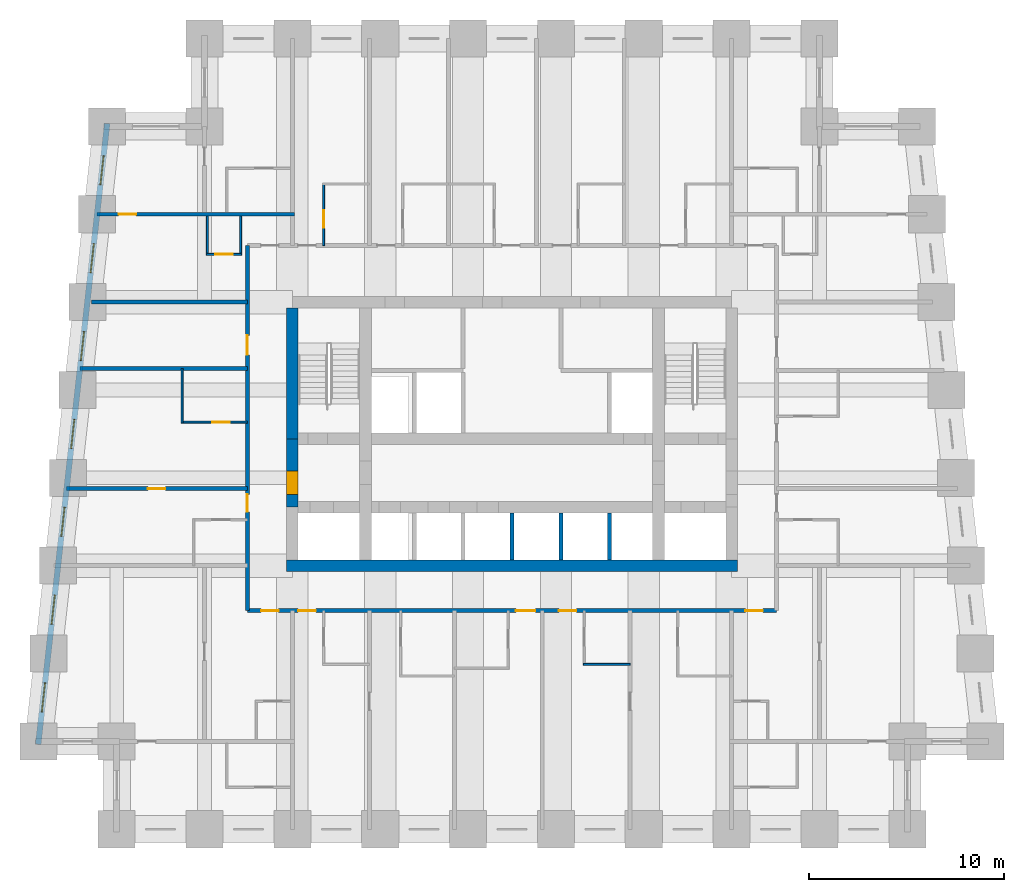
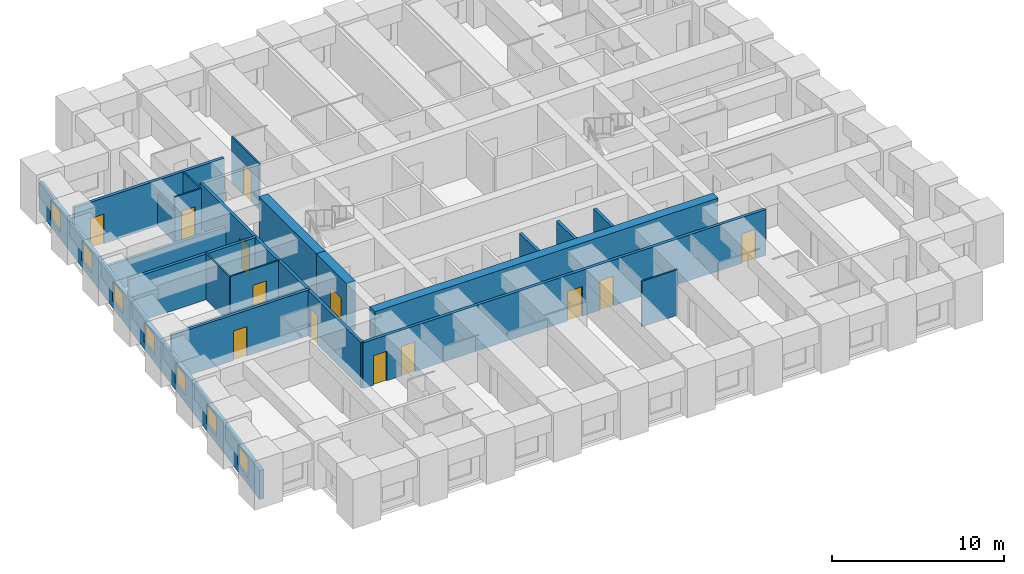
# One storey, part 3 of 8: 20 walls, 13 doors, 7 windows, 20 openings.
"""IFC4 building model written with IfcOpenShell, lengths in metres."""

from ifc_helpers import new_model, si_unit, direction, frame, frame_2d, origin, place, context, subcontext, project, spatial, rectangle, extrude, material, layer, layer_set, type_object, element, fill, save


model = new_model("IFC4")

# Units and contexts
model_context = context("Model", 3, precision=1e-05, world=origin(), true_north=direction((0.0, 1.0)))
body_context = subcontext(model_context, "Body", "Model", "MODEL_VIEW")
ifc_project = project(units=[si_unit("LENGTHUNIT", "METRE"), si_unit("AREAUNIT", "SQUARE_METRE"), si_unit("VOLUMEUNIT", "CUBIC_METRE"), si_unit("PLANEANGLEUNIT", "RADIAN"), si_unit("MASSUNIT", "GRAM", prefix="KILO")], contexts=[model_context])

# Site, building, storey
site_placement = place(None, origin())
site = spatial("IfcSite", under=ifc_project, at=site_placement, CompositionType="ELEMENT")
building_placement = place(site_placement, origin())
building = spatial("IfcBuilding", under=site, at=building_placement, Name="Kilele Tower Hotel", CompositionType="ELEMENT")
storey_placement = place(building_placement, frame((0.0, 0.0, 54.199951171875)))
storey = spatial("IfcBuildingStorey", under=building, at=storey_placement, Name="L12", CompositionType="ELEMENT", Elevation=54.199951171875)

# Wall
ifc_material_1 = material(Name="Moisture-resistant board")
ifc_layer_1 = layer(ifc_material_1, 0.10009765625)
ifc_layer_set_1 = layer_set([ifc_layer_1], Name="Moisture-resistant board")
wall_type_1 = type_object("IfcWallType", Name="Bathroom partition 100", PredefinedType="PLUMBINGWALL", material=ifc_layer_set_1)
wall_1_placement = place(storey_placement, frame((28.39990234375, 8.449951171875, 0.0), z_axis=(0.0, 0.0, 1.0), x_axis=(1.0, 0.0, 0.0)))
element("IfcWall", 1, at=wall_1_placement, inside=storey, type_object=wall_type_1, Name="Bathroom partition 100 L12", PredefinedType="PLUMBINGWALL", context=body_context, shape_type="SweptSolid", body=[
    extrude(rectangle(XDim=2.400146484375, YDim=0.10009765625, at=frame_2d((1.2001953125, 0.0))), origin(), (0.0, 0.0, 1.0), 3.25),
])

# Wall, opening, door
wall_2_placement = place(storey_placement, frame((15.10009765625, 29.89990234375, 0.0), z_axis=(0.0, 0.0, 1.0), x_axis=(0.0, 1.0, 0.0)))
wall_2 = element("IfcWall", 2, at=wall_2_placement, inside=storey, type_object=wall_type_1, Name="Bathroom partition 100 L12", PredefinedType="PLUMBINGWALL", context=body_context, shape_type="SweptSolid", body=[
    extrude(rectangle(XDim=3.2001953125, YDim=0.10009765625, at=frame_2d((1.60009765625, 0.0))), origin(), (0.0, 0.0, 1.0), 3.25),
])
opening_1_placement = place(wall_2_placement, frame((0.89990234375, 0.0, 0.0)))
opening_1 = element("IfcOpeningElement", 3, at=opening_1_placement, cuts=wall_2, Name="Opening D2A", PredefinedType="OPENING", context=body_context, shape_type="SweptSolid", body=[
    extrude(rectangle(XDim=0.89990234375, YDim=2.10009765625, at=frame_2d((0.449951171875, 1.050048828125))), frame((0.0, 0.06005859375, 0.0), z_axis=(0.0, -1.0, 0.0), x_axis=(1.0, 0.0, 0.0)), (0.0, 0.0, 1.0), 0.1201171875),
])
ifc_material_2 = material(Name="Timber door leaf in hardwood frame", Category="wood")
door_type_1 = type_object("IfcDoorType", Name="Bathroom door 900", OperationType="SINGLE_SWING_LEFT", PredefinedType="DOOR", material=ifc_material_2)
door_1_placement = place(opening_1_placement, origin())
door_1 = element("IfcDoor", 4, at=door_1_placement, inside=storey, type_object=door_type_1, Name="Bathroom door 1209B", OperationType="SINGLE_SWING_LEFT", OverallHeight=2.10009765625, OverallWidth=0.89990234375, PredefinedType="DOOR", context=body_context, shape_type="SweptSolid", body=[
    extrude(rectangle(XDim=0.89990234375, YDim=2.10009765625, at=frame_2d((0.449951171875, 1.050048828125))), frame((0.0, 0.02490234375, 0.0), z_axis=(0.0, -1.0, 0.0), x_axis=(1.0, 0.0, 0.0)), (0.0, 0.0, 1.0), 0.050048828125),
])
fill(opening_1, door_1)

# Wall
wall_3_placement = place(storey_placement, frame((7.85009765625, 20.800048828125, 0.0), z_axis=(0.0, 0.0, 1.0), x_axis=(0.0, 1.0, 0.0)))
element("IfcWall", 5, at=wall_3_placement, inside=storey, type_object=wall_type_1, Name="Bathroom partition 100 L12", PredefinedType="PLUMBINGWALL", context=body_context, shape_type="SweptSolid", body=[
    extrude(rectangle(XDim=2.800048828125, YDim=0.10009765625, at=frame_2d((1.39990234375, 0.0))), origin(), (0.0, 0.0, 1.0), 3.25),
])

# Wall, opening, door
wall_4_placement = place(storey_placement, frame((11.199951171875, 20.85009765625, 0.0), z_axis=(0.0, 0.0, 1.0), x_axis=(-1.0, 0.0, 0.0)))
wall_4 = element("IfcWall", 6, at=wall_4_placement, inside=storey, type_object=wall_type_1, Name="Bathroom partition 100 L12", PredefinedType="PLUMBINGWALL", context=body_context, shape_type="SweptSolid", body=[
    extrude(rectangle(XDim=3.39990234375, YDim=0.10009765625, at=frame_2d((1.699951171875, 0.0))), origin(), (0.0, 0.0, 1.0), 3.25),
])
opening_2_placement = place(wall_4_placement, frame((0.89990234375, 0.0, 0.0)))
opening_2 = element("IfcOpeningElement", 7, at=opening_2_placement, cuts=wall_4, Name="Opening D2A", PredefinedType="OPENING", context=body_context, shape_type="SweptSolid", body=[
    extrude(rectangle(XDim=0.89990234375, YDim=2.10009765625, at=frame_2d((0.449951171875, 1.050048828125))), frame((0.0, 0.06005859375, 0.0), z_axis=(0.0, -1.0, 0.0), x_axis=(1.0, 0.0, 0.0)), (0.0, 0.0, 1.0), 0.1201171875),
])
door_2_placement = place(opening_2_placement, origin())
door_2 = element("IfcDoor", 8, at=door_2_placement, inside=storey, type_object=door_type_1, Name="Bathroom door 1215B", OperationType="SINGLE_SWING_LEFT", OverallHeight=2.10009765625, OverallWidth=0.89990234375, PredefinedType="DOOR", context=body_context, shape_type="SweptSolid", body=[
    extrude(rectangle(XDim=0.89990234375, YDim=2.10009765625, at=frame_2d((0.449951171875, 1.050048828125))), frame((0.0, 0.02490234375, 0.0), z_axis=(0.0, -1.0, 0.0), x_axis=(1.0, 0.0, 0.0)), (0.0, 0.0, 1.0), 0.050048828125),
])
fill(opening_2, door_2)

# Walls
wall_5_placement = place(storey_placement, frame((9.14990234375, 31.39990234375, 0.0), z_axis=(0.0, 0.0, 1.0), x_axis=(0.0, -1.0, 0.0)))
element("IfcWall", 9, at=wall_5_placement, inside=storey, type_object=wall_type_1, Name="Bathroom partition 100 L12", PredefinedType="PLUMBINGWALL", context=body_context, shape_type="SweptSolid", body=[
    extrude(rectangle(XDim=2.0, YDim=0.10009765625, at=frame_2d((1.0, 0.0))), origin(), (0.0, 0.0, 1.0), 2.25),
])
wall_6_placement = place(storey_placement, frame((10.85009765625, 31.39990234375, 0.0), z_axis=(0.0, 0.0, 1.0), x_axis=(0.0, -1.0, 0.0)))
element("IfcWall", 10, at=wall_6_placement, inside=storey, type_object=wall_type_1, Name="Bathroom partition 100 L12", PredefinedType="PLUMBINGWALL", context=body_context, shape_type="SweptSolid", body=[
    extrude(rectangle(XDim=2.0, YDim=0.10009765625, at=frame_2d((1.0, 0.0))), origin(), (0.0, 0.0, 1.0), 3.25),
])

# Wall, opening, door
wall_7_placement = place(storey_placement, frame((10.89990234375, 29.449951171875, 0.0), z_axis=(0.0, 0.0, 1.0), x_axis=(-1.0, 0.0, 0.0)))
wall_7 = element("IfcWall", 11, at=wall_7_placement, inside=storey, type_object=wall_type_1, Name="Bathroom partition 100 L12", PredefinedType="PLUMBINGWALL", context=body_context, shape_type="SweptSolid", body=[
    extrude(rectangle(XDim=1.7998046875, YDim=0.10009765625, at=frame_2d((0.89990234375, 0.0))), origin(), (0.0, 0.0, 1.0), 3.25),
])
opening_3_placement = place(wall_7_placement, frame((0.449951171875, 0.0, 0.0)))
opening_3 = element("IfcOpeningElement", 12, at=opening_3_placement, cuts=wall_7, Name="Opening D2A", PredefinedType="OPENING", context=body_context, shape_type="SweptSolid", body=[
    extrude(rectangle(XDim=0.89990234375, YDim=2.10009765625, at=frame_2d((0.449951171875, 1.050048828125))), frame((0.0, 0.06005859375, 0.0), z_axis=(0.0, -1.0, 0.0), x_axis=(1.0, 0.0, 0.0)), (0.0, 0.0, 1.0), 0.1201171875),
])
door_3_placement = place(opening_3_placement, origin())
door_3 = element("IfcDoor", 13, at=door_3_placement, inside=storey, type_object=door_type_1, Name="Bathroom door 1226P", OperationType="SINGLE_SWING_LEFT", OverallHeight=2.10009765625, OverallWidth=0.89990234375, PredefinedType="DOOR", context=body_context, shape_type="SweptSolid", body=[
    extrude(rectangle(XDim=0.89990234375, YDim=2.10009765625, at=frame_2d((0.449951171875, 1.050048828125))), frame((0.0, 0.02490234375, 0.0), z_axis=(0.0, -1.0, 0.0), x_axis=(1.0, 0.0, 0.0)), (0.0, 0.0, 1.0), 0.050048828125),
])
fill(opening_3, door_3)

# Walls
ifc_material_3 = material(Name="Concrete C60/75", Category="concrete")
ifc_layer_2 = layer(ifc_material_3, 0.60009765625)
ifc_layer_set_2 = layer_set([ifc_layer_2], Name="Concrete C60/75")
wall_type_2 = type_object("IfcWallType", Name="Core wall 600 C60/75", PredefinedType="SHEAR", material=ifc_layer_set_2)
wall_8_placement = place(storey_placement, frame((13.199951171875, 13.5, 0.0), z_axis=(0.0, 0.0, 1.0), x_axis=(1.0, 0.0, 0.0)))
element("IfcWall", 14, at=wall_8_placement, inside=storey, type_object=wall_type_2, Name="Core wall S L12", PredefinedType="SHEAR", context=body_context, shape_type="SweptSolid", body=[
    extrude(rectangle(XDim=23.10009765625, YDim=0.60009765625, at=frame_2d((11.550048828125, 0.0))), origin(), (0.0, 0.0, 1.0), 3.5),
])
wall_9_placement = place(storey_placement, frame((13.5, 26.699951171875, 0.0), z_axis=(0.0, 0.0, 1.0), x_axis=(0.0, -1.0, 0.0)))
element("IfcWall", 15, at=wall_9_placement, inside=storey, type_object=wall_type_2, Name="Core wall W1 L12", PredefinedType="SHEAR", context=body_context, shape_type="SweptSolid", body=[
    extrude(rectangle(XDim=6.699951171875, YDim=0.60009765625, at=frame_2d((3.35009765625, 0.0))), origin(), (0.0, 0.0, 1.0), 3.5),
])

# Wall, opening, door
wall_10_placement = place(storey_placement, frame((13.5, 20.0, 0.0), z_axis=(0.0, 0.0, 1.0), x_axis=(0.0, -1.0, 0.0)))
wall_10 = element("IfcWall", 16, at=wall_10_placement, inside=storey, type_object=wall_type_2, Name="Core wall W2 L12", PredefinedType="SHEAR", context=body_context, shape_type="SweptSolid", body=[
    extrude(rectangle(XDim=3.5, YDim=0.60009765625, at=frame_2d((1.75, 0.0))), origin(), (0.0, 0.0, 1.0), 3.5),
])
opening_4_placement = place(wall_10_placement, frame((1.64990234375, 0.0, 0.0)))
opening_4 = element("IfcOpeningElement", 17, at=opening_4_placement, cuts=wall_10, Name="Opening D4", PredefinedType="OPENING", context=body_context, shape_type="SweptSolid", body=[
    extrude(rectangle(XDim=1.199951171875, YDim=2.10009765625, at=frame_2d((0.60009765625, 1.050048828125))), frame((0.0, 0.31005859375, 0.0), z_axis=(0.0, -1.0, 0.0), x_axis=(1.0, 0.0, 0.0)), (0.0, 0.0, 1.0), 0.6201171875),
])
ifc_material_4 = material(Name="Timber door leaf in hardwood frame", Category="wood")
door_type_2 = type_object("IfcDoorType", Name="Firefighting lobby door 1200", OperationType="SINGLE_SWING_LEFT", PredefinedType="DOOR", material=ifc_material_4)
door_4_placement = place(opening_4_placement, origin())
door_4 = element("IfcDoor", 18, at=door_4_placement, inside=storey, type_object=door_type_2, Name="Lobby door L12", OperationType="SINGLE_SWING_RIGHT", OverallHeight=2.10009765625, OverallWidth=1.199951171875, PredefinedType="DOOR", context=body_context, shape_type="SweptSolid", body=[
    extrude(rectangle(XDim=1.199951171875, YDim=2.10009765625, at=frame_2d((0.60009765625, 1.050048828125))), frame((0.0, 0.2998046875, 0.0), z_axis=(0.0, -1.0, 0.0), x_axis=(1.0, 0.0, 0.0)), (0.0, 0.0, 1.0), 0.599609375),
])
fill(opening_4, door_4)

# Wall, openings, doors
ifc_material_5 = material(Name="Blockwork, plastered both sides", Category="masonry")
ifc_layer_3 = layer(ifc_material_5, 0.199951171875)
ifc_layer_set_3 = layer_set([ifc_layer_3], Name="Blockwork, plastered both sides")
wall_type_3 = type_object("IfcWallType", Name="Corridor wall 200", PredefinedType="PARTITIONING", material=ifc_layer_set_3)
wall_11_placement = place(storey_placement, frame((11.199951171875, 11.199951171875, 0.0), z_axis=(0.0, 0.0, 1.0), x_axis=(1.0, 0.0, 0.0)))
wall_11 = element("IfcWall", 19, at=wall_11_placement, inside=storey, type_object=wall_type_3, Name="Corridor wall 200 L12", PredefinedType="PARTITIONING", context=body_context, shape_type="SweptSolid", body=[
    extrude(rectangle(XDim=27.10009765625, YDim=0.199951171875, at=frame_2d((13.550048828125, 0.0))), origin(), (0.0, 0.0, 1.0), 3.25),
])
opening_5_placement = place(wall_11_placement, frame((3.5, 0.0, 0.0), z_axis=(0.0, 0.0, 1.0), x_axis=(-1.0, 0.0, 0.0)))
opening_5 = element("IfcOpeningElement", 20, at=opening_5_placement, cuts=wall_11, Name="Opening D1", PredefinedType="OPENING", context=body_context, shape_type="SweptSolid", body=[
    extrude(rectangle(XDim=0.89990234375, YDim=2.10009765625, at=frame_2d((0.449951171875, 1.050048828125))), frame((0.0, 0.10986328125, 0.0), z_axis=(0.0, -1.0, 0.0), x_axis=(1.0, 0.0, 0.0)), (0.0, 0.0, 1.0), 0.219970703125),
])
opening_6_placement = place(wall_11_placement, frame((14.75, 0.0, 0.0), z_axis=(0.0, 0.0, 1.0), x_axis=(-1.0, 0.0, 0.0)))
opening_6 = element("IfcOpeningElement", 21, at=opening_6_placement, cuts=wall_11, Name="Opening D1A", PredefinedType="OPENING", context=body_context, shape_type="SweptSolid", body=[
    extrude(rectangle(XDim=1.0, YDim=2.10009765625, at=frame_2d((0.5, 1.050048828125))), frame((0.0, 0.10986328125, 0.0), z_axis=(0.0, -1.0, 0.0), x_axis=(1.0, 0.0, 0.0)), (0.0, 0.0, 1.0), 0.219970703125),
])
opening_7_placement = place(wall_11_placement, frame((16.849853515625, 0.0, 0.0), z_axis=(0.0, 0.0, 1.0), x_axis=(-1.0, 0.0, 0.0)))
opening_7 = element("IfcOpeningElement", 22, at=opening_7_placement, cuts=wall_11, Name="Opening D1", PredefinedType="OPENING", context=body_context, shape_type="SweptSolid", body=[
    extrude(rectangle(XDim=0.89990234375, YDim=2.10009765625, at=frame_2d((0.449951171875, 1.050048828125))), frame((0.0, 0.10986328125, 0.0), z_axis=(0.0, -1.0, 0.0), x_axis=(1.0, 0.0, 0.0)), (0.0, 0.0, 1.0), 0.219970703125),
])
opening_8_placement = place(wall_11_placement, frame((1.599853515625, 0.0, 0.0), z_axis=(0.0, 0.0, 1.0), x_axis=(-1.0, 0.0, 0.0)))
opening_8 = element("IfcOpeningElement", 23, at=opening_8_placement, cuts=wall_11, Name="Opening D1", PredefinedType="OPENING", context=body_context, shape_type="SweptSolid", body=[
    extrude(rectangle(XDim=0.89990234375, YDim=2.10009765625, at=frame_2d((0.449951171875, 1.050048828125))), frame((0.0, 0.10986328125, 0.0), z_axis=(0.0, -1.0, 0.0), x_axis=(1.0, 0.0, 0.0)), (0.0, 0.0, 1.0), 0.219970703125),
])
opening_9_placement = place(wall_11_placement, frame((26.39990234375, 0.0, 0.0), z_axis=(0.0, 0.0, 1.0), x_axis=(-1.0, 0.0, 0.0)))
opening_9 = element("IfcOpeningElement", 24, at=opening_9_placement, cuts=wall_11, Name="Opening D1", PredefinedType="OPENING", context=body_context, shape_type="SweptSolid", body=[
    extrude(rectangle(XDim=0.89990234375, YDim=2.10009765625, at=frame_2d((0.449951171875, 1.050048828125))), frame((0.0, 0.10986328125, 0.0), z_axis=(0.0, -1.0, 0.0), x_axis=(1.0, 0.0, 0.0)), (0.0, 0.0, 1.0), 0.219970703125),
])
ifc_material_6 = material(Name="Timber door leaf in hardwood frame", Category="wood")
door_type_3 = type_object("IfcDoorType", Name="Guest room entrance door 1000", OperationType="SINGLE_SWING_LEFT", PredefinedType="DOOR", material=ifc_material_6)
door_5_placement = place(opening_6_placement, origin())
door_5 = element("IfcDoor", 25, at=door_5_placement, inside=storey, type_object=door_type_3, Name="Room entrance 1203", OperationType="SINGLE_SWING_LEFT", OverallHeight=2.10009765625, OverallWidth=1.0, PredefinedType="DOOR", context=body_context, shape_type="SweptSolid", body=[
    extrude(rectangle(XDim=1.0, YDim=2.10009765625, at=frame_2d((0.5, 1.050048828125))), frame((0.0, 0.02490234375, 0.0), z_axis=(0.0, -1.0, 0.0), x_axis=(1.0, 0.0, 0.0)), (0.0, 0.0, 1.0), 0.050048828125),
])
fill(opening_6, door_5)
ifc_material_7 = material(Name="Timber door leaf in hardwood frame", Category="wood")
door_type_4 = type_object("IfcDoorType", Name="Guest room entrance door 900", OperationType="SINGLE_SWING_LEFT", PredefinedType="DOOR", material=ifc_material_7)
door_6_placement = place(opening_5_placement, origin())
door_6 = element("IfcDoor", 26, at=door_6_placement, inside=storey, type_object=door_type_4, Name="Room entrance 1201", OperationType="SINGLE_SWING_RIGHT", OverallHeight=2.10009765625, OverallWidth=0.89990234375, PredefinedType="DOOR", context=body_context, shape_type="SweptSolid", body=[
    extrude(rectangle(XDim=0.89990234375, YDim=2.10009765625, at=frame_2d((0.449951171875, 1.050048828125))), frame((0.0, 0.02490234375, 0.0), z_axis=(0.0, -1.0, 0.0), x_axis=(1.0, 0.0, 0.0)), (0.0, 0.0, 1.0), 0.050048828125),
])
fill(opening_5, door_6)
door_7_placement = place(opening_7_placement, origin())
door_7 = element("IfcDoor", 27, at=door_7_placement, inside=storey, type_object=door_type_4, Name="Room entrance 1204", OperationType="SINGLE_SWING_LEFT", OverallHeight=2.10009765625, OverallWidth=0.89990234375, PredefinedType="DOOR", context=body_context, shape_type="SweptSolid", body=[
    extrude(rectangle(XDim=0.89990234375, YDim=2.10009765625, at=frame_2d((0.449951171875, 1.050048828125))), frame((0.0, 0.02490234375, 0.0), z_axis=(0.0, -1.0, 0.0), x_axis=(1.0, 0.0, 0.0)), (0.0, 0.0, 1.0), 0.050048828125),
])
fill(opening_7, door_7)
door_8_placement = place(opening_8_placement, origin())
door_8 = element("IfcDoor", 28, at=door_8_placement, inside=storey, type_object=door_type_4, Name="Room entrance 1217", OperationType="SINGLE_SWING_LEFT", OverallHeight=2.10009765625, OverallWidth=0.89990234375, PredefinedType="DOOR", context=body_context, shape_type="SweptSolid", body=[
    extrude(rectangle(XDim=0.89990234375, YDim=2.10009765625, at=frame_2d((0.449951171875, 1.050048828125))), frame((0.0, 0.02490234375, 0.0), z_axis=(0.0, -1.0, 0.0), x_axis=(1.0, 0.0, 0.0)), (0.0, 0.0, 1.0), 0.050048828125),
])
fill(opening_8, door_8)
door_9_placement = place(opening_9_placement, origin())
door_9 = element("IfcDoor", 29, at=door_9_placement, inside=storey, type_object=door_type_4, Name="Room entrance 1220", OperationType="SINGLE_SWING_RIGHT", OverallHeight=2.10009765625, OverallWidth=0.89990234375, PredefinedType="DOOR", context=body_context, shape_type="SweptSolid", body=[
    extrude(rectangle(XDim=0.89990234375, YDim=2.10009765625, at=frame_2d((0.449951171875, 1.050048828125))), frame((0.0, 0.02490234375, 0.0), z_axis=(0.0, -1.0, 0.0), x_axis=(1.0, 0.0, 0.0)), (0.0, 0.0, 1.0), 0.050048828125),
])
fill(opening_9, door_9)

wall_12_placement = place(storey_placement, frame((11.199951171875, 11.199951171875, 0.0), z_axis=(0.0, 0.0, 1.0), x_axis=(0.0, 1.0, 0.0)))
wall_12 = element("IfcWall", 30, at=wall_12_placement, inside=storey, type_object=wall_type_3, Name="Corridor wall 200 L12", PredefinedType="PARTITIONING", context=body_context, shape_type="SweptSolid", body=[
    extrude(rectangle(XDim=18.699951171875, YDim=0.199951171875, at=frame_2d((9.35009765625, 0.0))), origin(), (0.0, 0.0, 1.0), 3.25),
])
opening_10_placement = place(wall_12_placement, frame((5.050048828125, 0.0, 0.0)))
opening_10 = element("IfcOpeningElement", 31, at=opening_10_placement, cuts=wall_12, Name="Opening D1", PredefinedType="OPENING", context=body_context, shape_type="SweptSolid", body=[
    extrude(rectangle(XDim=0.89990234375, YDim=2.10009765625, at=frame_2d((0.449951171875, 1.050048828125))), frame((0.0, 0.10986328125, 0.0), z_axis=(0.0, -1.0, 0.0), x_axis=(1.0, 0.0, 0.0)), (0.0, 0.0, 1.0), 0.219970703125),
])
opening_11_placement = place(wall_12_placement, frame((13.10009765625, 0.0, 0.0)))
opening_11 = element("IfcOpeningElement", 32, at=opening_11_placement, cuts=wall_12, Name="Opening D8", PredefinedType="OPENING", context=body_context, shape_type="SweptSolid", body=[
    extrude(rectangle(XDim=1.0, YDim=2.10009765625, at=frame_2d((0.5, 1.050048828125))), frame((0.0, 0.10986328125, 0.0), z_axis=(0.0, -1.0, 0.0), x_axis=(1.0, 0.0, 0.0)), (0.0, 0.0, 1.0), 0.219970703125),
])
ifc_material_8 = material(Name="Timber door leaf in hardwood frame", Category="wood")
door_type_5 = type_object("IfcDoorType", Name="Door 1000", OperationType="SINGLE_SWING_LEFT", PredefinedType="DOOR", material=ifc_material_8)
door_10_placement = place(opening_11_placement, origin())
door_10 = element("IfcDoor", 33, at=door_10_placement, inside=storey, type_object=door_type_5, Name="Room entrance 1216", OperationType="SINGLE_SWING_LEFT", OverallHeight=2.10009765625, OverallWidth=1.0, PredefinedType="DOOR", context=body_context, shape_type="SweptSolid", body=[
    extrude(rectangle(XDim=1.0, YDim=2.10009765625, at=frame_2d((0.5, 1.050048828125))), frame((0.0, 0.02490234375, 0.0), z_axis=(0.0, -1.0, 0.0), x_axis=(1.0, 0.0, 0.0)), (0.0, 0.0, 1.0), 0.050048828125),
])
fill(opening_11, door_10)
door_11_placement = place(opening_10_placement, origin())
door_11 = element("IfcDoor", 34, at=door_11_placement, inside=storey, type_object=door_type_4, Name="Room entrance 1214", OperationType="SINGLE_SWING_RIGHT", OverallHeight=2.10009765625, OverallWidth=0.89990234375, PredefinedType="DOOR", context=body_context, shape_type="SweptSolid", body=[
    extrude(rectangle(XDim=0.89990234375, YDim=2.10009765625, at=frame_2d((0.449951171875, 1.050048828125))), frame((0.0, 0.02490234375, 0.0), z_axis=(0.0, -1.0, 0.0), x_axis=(1.0, 0.0, 0.0)), (0.0, 0.0, 1.0), 0.050048828125),
])
fill(opening_10, door_11)

# Wall, opening, door
ifc_material_9 = material(Name="Blockwork, plastered both sides", Category="masonry")
ifc_layer_4 = layer(ifc_material_9, 0.199951171875)
ifc_layer_set_4 = layer_set([ifc_layer_4], Name="Blockwork, plastered both sides")
wall_type_4 = type_object("IfcWallType", Name="Party wall 200", PredefinedType="PARTITIONING", material=ifc_layer_set_4)
wall_13_placement = place(storey_placement, frame((11.199951171875, 17.449951171875, 0.0), z_axis=(0.0, 0.0, 1.0), x_axis=(-1.0, 0.0, 0.0)))
wall_13 = element("IfcWall", 35, at=wall_13_placement, inside=storey, type_object=wall_type_4, Name="Party wall 200 L12", PredefinedType="PARTITIONING", context=body_context, shape_type="SweptSolid", body=[
    extrude(rectangle(XDim=9.26025390625, YDim=0.199951171875, at=frame_2d((4.630126953125, 0.0))), origin(), (0.0, 0.0, 1.0), 3.25),
])
opening_12_placement = place(wall_13_placement, frame((4.199951171875, 0.0, 0.0)))
opening_12 = element("IfcOpeningElement", 36, at=opening_12_placement, cuts=wall_13, Name="Opening D3", PredefinedType="OPENING", context=body_context, shape_type="SweptSolid", body=[
    extrude(rectangle(XDim=0.89990234375, YDim=2.10009765625, at=frame_2d((0.449951171875, 1.050048828125))), frame((0.0, 0.10986328125, 0.0), z_axis=(0.0, -1.0, 0.0), x_axis=(1.0, 0.0, 0.0)), (0.0, 0.0, 1.0), 0.219970703125),
])
ifc_material_10 = material(Name="Timber door leaf in hardwood frame", Category="wood")
door_type_6 = type_object("IfcDoorType", Name="Suite internal door 900", OperationType="SINGLE_SWING_LEFT", PredefinedType="DOOR", material=ifc_material_10)
door_12_placement = place(opening_12_placement, origin())
door_12 = element("IfcDoor", 37, at=door_12_placement, inside=storey, type_object=door_type_6, Name="Suite door 1215", OperationType="SINGLE_SWING_RIGHT", OverallHeight=2.10009765625, OverallWidth=0.89990234375, PredefinedType="DOOR", context=body_context, shape_type="SweptSolid", body=[
    extrude(rectangle(XDim=0.89990234375, YDim=2.10009765625, at=frame_2d((0.449951171875, 1.050048828125))), frame((0.0, 0.02490234375, 0.0), z_axis=(0.0, -1.0, 0.0), x_axis=(1.0, 0.0, 0.0)), (0.0, 0.0, 1.0), 0.050048828125),
])
fill(opening_12, door_12)

# Walls
wall_14_placement = place(storey_placement, frame((11.199951171875, 23.60009765625, 0.0), z_axis=(0.0, 0.0, 1.0), x_axis=(-1.0, 0.0, 0.0)))
element("IfcWall", 38, at=wall_14_placement, inside=storey, type_object=wall_type_4, Name="Party wall 200 L12", PredefinedType="PARTITIONING", context=body_context, shape_type="SweptSolid", body=[
    extrude(rectangle(XDim=8.576904296875, YDim=0.199951171875, at=frame_2d((4.28857421875, 0.0))), origin(), (0.0, 0.0, 1.0), 3.25),
])
wall_15_placement = place(storey_placement, frame((11.199951171875, 27.0, 0.0), z_axis=(0.0, 0.0, 1.0), x_axis=(-1.0, 0.0, 0.0)))
element("IfcWall", 39, at=wall_15_placement, inside=storey, type_object=wall_type_4, Name="Party wall 200 L12", PredefinedType="PARTITIONING", context=body_context, shape_type="SweptSolid", body=[
    extrude(rectangle(XDim=7.976806640625, YDim=0.199951171875, at=frame_2d((3.98828125, 0.0))), origin(), (0.0, 0.0, 1.0), 1.949951171875),
])

# Wall, opening, door
wall_16_placement = place(storey_placement, frame((13.60009765625, 31.5, 0.0), z_axis=(0.0, 0.0, 1.0), x_axis=(-1.0, 0.0, 0.0)))
wall_16 = element("IfcWall", 40, at=wall_16_placement, inside=storey, type_object=wall_type_4, Name="Party wall 200 L12", PredefinedType="PARTITIONING", context=body_context, shape_type="SweptSolid", body=[
    extrude(rectangle(XDim=10.09912109375, YDim=0.199951171875, at=frame_2d((5.049560546875, 0.0))), origin(), (0.0, 0.0, 1.0), 3.25),
])
opening_13_placement = place(wall_16_placement, frame((8.9990234375, 0.0, 0.0), z_axis=(0.0, 0.0, 1.0), x_axis=(-1.0, 0.0, 0.0)))
opening_13 = element("IfcOpeningElement", 41, at=opening_13_placement, cuts=wall_16, Name="Opening D3", PredefinedType="OPENING", context=body_context, shape_type="SweptSolid", body=[
    extrude(rectangle(XDim=0.89990234375, YDim=2.10009765625, at=frame_2d((0.449951171875, 1.050048828125))), frame((0.0, 0.10986328125, 0.0), z_axis=(0.0, -1.0, 0.0), x_axis=(1.0, 0.0, 0.0)), (0.0, 0.0, 1.0), 0.219970703125),
])
door_13_placement = place(opening_13_placement, origin())
door_13 = element("IfcDoor", 42, at=door_13_placement, inside=storey, type_object=door_type_6, Name="Suite door 1227", OperationType="SINGLE_SWING_LEFT", OverallHeight=2.10009765625, OverallWidth=0.89990234375, PredefinedType="DOOR", context=body_context, shape_type="SweptSolid", body=[
    extrude(rectangle(XDim=0.89990234375, YDim=2.10009765625, at=frame_2d((0.449951171875, 1.050048828125))), frame((0.0, 0.02490234375, 0.0), z_axis=(0.0, -1.0, 0.0), x_axis=(1.0, 0.0, 0.0)), (0.0, 0.0, 1.0), 0.050048828125),
])
fill(opening_13, door_13)

# Wall, openings, windows
ifc_material_11 = material(Name="Concrete C40/50 precast", Category="concrete")
ifc_layer_5 = layer(ifc_material_11, 0.260009765625, Name="Precast backing", Category="LoadBearing")
ifc_material_12 = material(Name="Reconstituted stone finish", Category="masonry")
ifc_layer_6 = layer(ifc_material_12, 0.0400390625, Name="Face mix", Category="Finish")
ifc_layer_set_5 = layer_set([ifc_layer_5, ifc_layer_6], Name="Precast concrete C40/50, reconstituted stone finish")
wall_type_5 = type_object("IfcWallType", Name="Precast stone facade wall 300", PredefinedType="STANDARD", material=ifc_layer_set_5)
wall_17_placement = place(storey_placement, frame((4.0166015625, 36.149169921875, 0.0), z_axis=(0.0, 0.0, 1.0), x_axis=(-0.110433201132, -0.993883548555, 0.0)))
wall_17 = element("IfcWall", 43, at=wall_17_placement, inside=storey, type_object=wall_type_5, Name="Facade wall L12 edge 12", PredefinedType="STANDARD", context=body_context, shape_type="SweptSolid", body=[
    extrude(rectangle(XDim=31.994140625, YDim=0.300048828125, at=frame_2d((15.9970703125, 0.0))), origin(), (0.0, 0.0, 1.0), 2.050048828125),
])
opening_14_placement = place(wall_17_placement, frame((1.6640625, 0.0, 0.5)))
opening_14 = element("IfcOpeningElement", 44, at=opening_14_placement, cuts=wall_17, Name="Opening W1", PredefinedType="OPENING", context=body_context, shape_type="SweptSolid", body=[
    extrude(rectangle(XDim=1.5, YDim=1.39990234375, at=frame_2d((0.75, 0.699951171875))), frame((0.0, 0.159912109375, 0.0), z_axis=(0.0, -1.0, 0.0), x_axis=(1.0, 0.0, 0.0)), (0.0, 0.0, 1.0), 0.320068359375),
])
opening_15_placement = place(wall_17_placement, frame((6.19189453125, 0.0, 0.5)))
opening_15 = element("IfcOpeningElement", 45, at=opening_15_placement, cuts=wall_17, Name="Opening W1", PredefinedType="OPENING", context=body_context, shape_type="SweptSolid", body=[
    extrude(rectangle(XDim=1.5, YDim=1.39990234375, at=frame_2d((0.75, 0.699951171875))), frame((0.0, 0.159912109375, 0.0), z_axis=(0.0, -1.0, 0.0), x_axis=(1.0, 0.0, 0.0)), (0.0, 0.0, 1.0), 0.320068359375),
])
opening_16_placement = place(wall_17_placement, frame((10.718994140625, 0.0, 0.5)))
opening_16 = element("IfcOpeningElement", 46, at=opening_16_placement, cuts=wall_17, Name="Opening W1", PredefinedType="OPENING", context=body_context, shape_type="SweptSolid", body=[
    extrude(rectangle(XDim=1.5, YDim=1.39990234375, at=frame_2d((0.75, 0.699951171875))), frame((0.0, 0.159912109375, 0.0), z_axis=(0.0, -1.0, 0.0), x_axis=(1.0, 0.0, 0.0)), (0.0, 0.0, 1.0), 0.320068359375),
])
opening_17_placement = place(wall_17_placement, frame((15.2470703125, 0.0, 0.5)))
opening_17 = element("IfcOpeningElement", 47, at=opening_17_placement, cuts=wall_17, Name="Opening W1", PredefinedType="OPENING", context=body_context, shape_type="SweptSolid", body=[
    extrude(rectangle(XDim=1.5, YDim=1.39990234375, at=frame_2d((0.75, 0.699951171875))), frame((0.0, 0.159912109375, 0.0), z_axis=(0.0, -1.0, 0.0), x_axis=(1.0, 0.0, 0.0)), (0.0, 0.0, 1.0), 0.320068359375),
])
opening_18_placement = place(wall_17_placement, frame((19.77490234375, 0.0, 0.5)))
opening_18 = element("IfcOpeningElement", 48, at=opening_18_placement, cuts=wall_17, Name="Opening W1", PredefinedType="OPENING", context=body_context, shape_type="SweptSolid", body=[
    extrude(rectangle(XDim=1.5, YDim=1.39990234375, at=frame_2d((0.75, 0.699951171875))), frame((0.0, 0.159912109375, 0.0), z_axis=(0.0, -1.0, 0.0), x_axis=(1.0, 0.0, 0.0)), (0.0, 0.0, 1.0), 0.320068359375),
])
opening_19_placement = place(wall_17_placement, frame((24.302001953125, 0.0, 0.5)))
opening_19 = element("IfcOpeningElement", 49, at=opening_19_placement, cuts=wall_17, Name="Opening W1", PredefinedType="OPENING", context=body_context, shape_type="SweptSolid", body=[
    extrude(rectangle(XDim=1.5, YDim=1.39990234375, at=frame_2d((0.75, 0.699951171875))), frame((0.0, 0.159912109375, 0.0), z_axis=(0.0, -1.0, 0.0), x_axis=(1.0, 0.0, 0.0)), (0.0, 0.0, 1.0), 0.320068359375),
])
opening_20_placement = place(wall_17_placement, frame((28.830078125, 0.0, 0.5)))
opening_20 = element("IfcOpeningElement", 50, at=opening_20_placement, cuts=wall_17, Name="Opening W1", PredefinedType="OPENING", context=body_context, shape_type="SweptSolid", body=[
    extrude(rectangle(XDim=1.5, YDim=1.39990234375, at=frame_2d((0.75, 0.699951171875))), frame((0.0, 0.159912109375, 0.0), z_axis=(0.0, -1.0, 0.0), x_axis=(1.0, 0.0, 0.0)), (0.0, 0.0, 1.0), 0.320068359375),
])
ifc_material_13 = material(Name="Aluminium frame, clear double glazing", Category="aluminium")
window_type = type_object("IfcWindowType", Name="Window W1 1500 x 1400", PartitioningType="SINGLE_PANEL", PredefinedType="WINDOW", material=ifc_material_13)
window_1_placement = place(opening_14_placement, origin())
window_1 = element("IfcWindow", 51, at=window_1_placement, inside=storey, type_object=window_type, Name="Window L12", OverallHeight=1.39990234375, OverallWidth=1.5, PartitioningType="SINGLE_PANEL", PredefinedType="WINDOW", context=body_context, shape_type="SweptSolid", body=[
    extrude(rectangle(XDim=1.5, YDim=1.39990234375, at=frame_2d((0.75, 0.699951171875))), frame((0.0, 0.030029296875, 0.0), z_axis=(0.0, -1.0, 0.0), x_axis=(1.0, 0.0, 0.0)), (0.0, 0.0, 1.0), 0.06005859375),
])
fill(opening_14, window_1)
window_2_placement = place(opening_15_placement, origin())
window_2 = element("IfcWindow", 52, at=window_2_placement, inside=storey, type_object=window_type, Name="Window L12", OverallHeight=1.39990234375, OverallWidth=1.5, PartitioningType="SINGLE_PANEL", PredefinedType="WINDOW", context=body_context, shape_type="SweptSolid", body=[
    extrude(rectangle(XDim=1.5, YDim=1.39990234375, at=frame_2d((0.75, 0.699951171875))), frame((0.0, 0.030029296875, 0.0), z_axis=(0.0, -1.0, 0.0), x_axis=(1.0, 0.0, 0.0)), (0.0, 0.0, 1.0), 0.06005859375),
])
fill(opening_15, window_2)
window_3_placement = place(opening_16_placement, origin())
window_3 = element("IfcWindow", 53, at=window_3_placement, inside=storey, type_object=window_type, Name="Window L12", OverallHeight=1.39990234375, OverallWidth=1.5, PartitioningType="SINGLE_PANEL", PredefinedType="WINDOW", context=body_context, shape_type="SweptSolid", body=[
    extrude(rectangle(XDim=1.5, YDim=1.39990234375, at=frame_2d((0.75, 0.699951171875))), frame((0.0, 0.030029296875, 0.0), z_axis=(0.0, -1.0, 0.0), x_axis=(1.0, 0.0, 0.0)), (0.0, 0.0, 1.0), 0.06005859375),
])
fill(opening_16, window_3)
window_4_placement = place(opening_17_placement, origin())
window_4 = element("IfcWindow", 54, at=window_4_placement, inside=storey, type_object=window_type, Name="Window L12", OverallHeight=1.39990234375, OverallWidth=1.5, PartitioningType="SINGLE_PANEL", PredefinedType="WINDOW", context=body_context, shape_type="SweptSolid", body=[
    extrude(rectangle(XDim=1.5, YDim=1.39990234375, at=frame_2d((0.75, 0.699951171875))), frame((0.0, 0.030029296875, 0.0), z_axis=(0.0, -1.0, 0.0), x_axis=(1.0, 0.0, 0.0)), (0.0, 0.0, 1.0), 0.06005859375),
])
fill(opening_17, window_4)
window_5_placement = place(opening_18_placement, origin())
window_5 = element("IfcWindow", 55, at=window_5_placement, inside=storey, type_object=window_type, Name="Window L12", OverallHeight=1.39990234375, OverallWidth=1.5, PartitioningType="SINGLE_PANEL", PredefinedType="WINDOW", context=body_context, shape_type="SweptSolid", body=[
    extrude(rectangle(XDim=1.5, YDim=1.39990234375, at=frame_2d((0.75, 0.699951171875))), frame((0.0, 0.030029296875, 0.0), z_axis=(0.0, -1.0, 0.0), x_axis=(1.0, 0.0, 0.0)), (0.0, 0.0, 1.0), 0.06005859375),
])
fill(opening_18, window_5)
window_6_placement = place(opening_19_placement, origin())
window_6 = element("IfcWindow", 56, at=window_6_placement, inside=storey, type_object=window_type, Name="Window L12", OverallHeight=1.39990234375, OverallWidth=1.5, PartitioningType="SINGLE_PANEL", PredefinedType="WINDOW", context=body_context, shape_type="SweptSolid", body=[
    extrude(rectangle(XDim=1.5, YDim=1.39990234375, at=frame_2d((0.75, 0.699951171875))), frame((0.0, 0.030029296875, 0.0), z_axis=(0.0, -1.0, 0.0), x_axis=(1.0, 0.0, 0.0)), (0.0, 0.0, 1.0), 0.06005859375),
])
fill(opening_19, window_6)
window_7_placement = place(opening_20_placement, origin())
window_7 = element("IfcWindow", 57, at=window_7_placement, inside=storey, type_object=window_type, Name="Window L12", OverallHeight=1.39990234375, OverallWidth=1.5, PartitioningType="SINGLE_PANEL", PredefinedType="WINDOW", context=body_context, shape_type="SweptSolid", body=[
    extrude(rectangle(XDim=1.5, YDim=1.39990234375, at=frame_2d((0.75, 0.699951171875))), frame((0.0, 0.030029296875, 0.0), z_axis=(0.0, -1.0, 0.0), x_axis=(1.0, 0.0, 0.0)), (0.0, 0.0, 1.0), 0.06005859375),
])
fill(opening_20, window_7)

# Walls
ifc_material_14 = material(Name="Blockwork, fire-rated", Category="masonry")
ifc_layer_7 = layer(ifc_material_14, 0.199951171875)
ifc_layer_set_6 = layer_set([ifc_layer_7], Name="Blockwork, fire-rated")
wall_type_6 = type_object("IfcWallType", Name="Shaft wall 200", PredefinedType="PARTITIONING", material=ifc_layer_set_6)
for number, where, z_axis, x_axis, name in (
    (58, (24.75, 13.800048828125, 0.0), (0.0, 0.0, 1.0), (0.0, 1.0, 0.0), "Shaft wall 200 L12"),
    (59, (27.25, 13.800048828125, 0.0), (0.0, 0.0, 1.0), (0.0, 1.0, 0.0), "Shaft wall 200 L12"),
    (60, (29.75, 13.800048828125, 0.0), (0.0, 0.0, 1.0), (0.0, 1.0, 0.0), "Shaft wall 200 L12"),
):
    element("IfcWall", number, at=place(storey_placement, frame(where, z_axis=z_axis, x_axis=x_axis)), inside=storey, type_object=wall_type_6, Name=name, PredefinedType="PARTITIONING", context=body_context, shape_type="SweptSolid", body=[
        extrude(rectangle(XDim=2.39990234375, YDim=0.199951171875, at=frame_2d((1.199951171875, 0.0))), origin(), (0.0, 0.0, 1.0), 3.25),
    ])

save(model, "model.ifc")
